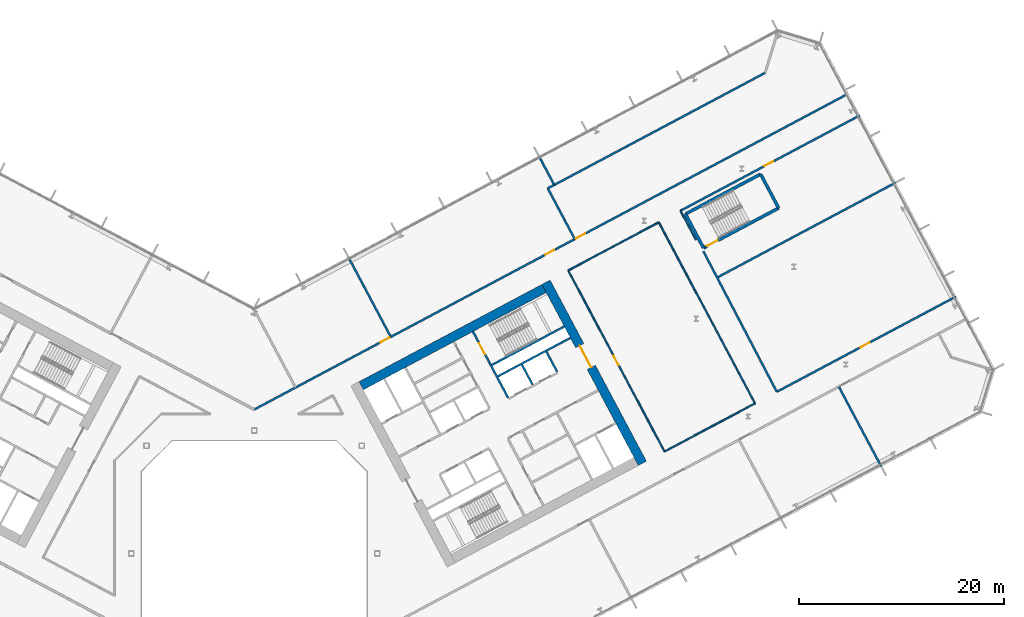
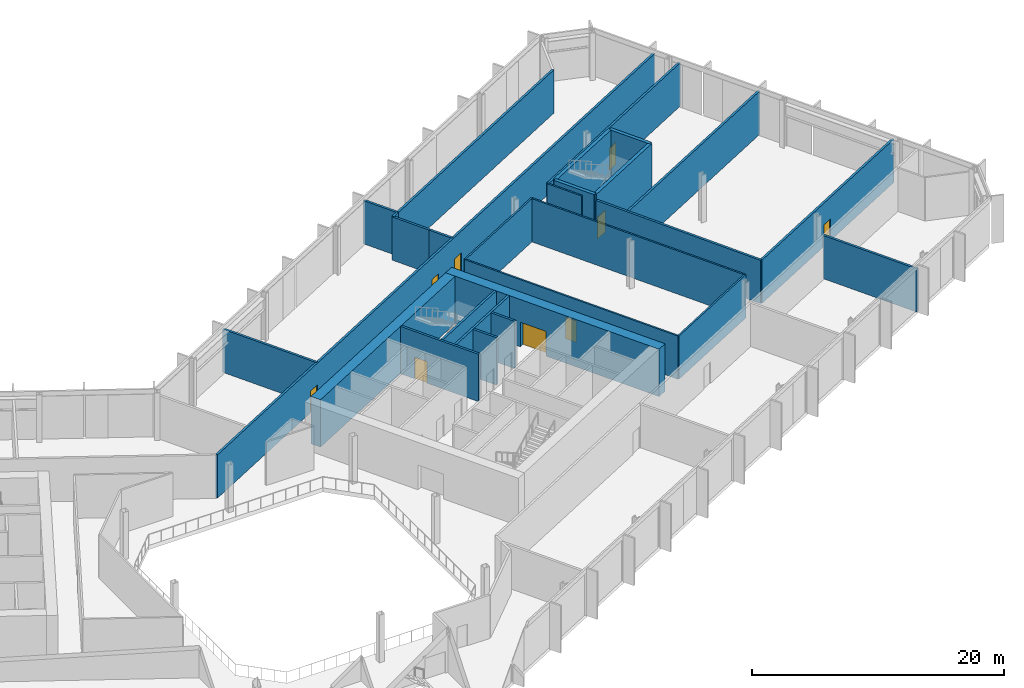
# One storey, part 19 of 32: 28 walls, 9 doors, 9 openings.
"""IFC4 building model written with IfcOpenShell, lengths in metres."""

from ifc_helpers import new_model, si_unit, direction, frame, frame_2d, origin, place, context, subcontext, project, spatial, rectangle, extrude, material, layer, layer_set, type_object, element, fill, save


model = new_model("IFC4")

# Units and contexts
model_context = context("Model", 3, precision=1e-05, world=origin(), true_north=direction((0.0, 1.0)))
body_context = subcontext(model_context, "Body", "Model", "MODEL_VIEW")
ifc_project = project(units=[si_unit("LENGTHUNIT", "METRE"), si_unit("AREAUNIT", "SQUARE_METRE"), si_unit("VOLUMEUNIT", "CUBIC_METRE"), si_unit("PLANEANGLEUNIT", "RADIAN"), si_unit("MASSUNIT", "GRAM", prefix="KILO")], contexts=[model_context])

# Site, building, storey
site_placement = place(None, origin())
site = spatial("IfcSite", under=ifc_project, at=site_placement, CompositionType="ELEMENT")
building_placement = place(site_placement, origin())
building = spatial("IfcBuilding", under=site, at=building_placement, Name="Cormorant Relay Tower", CompositionType="ELEMENT")
storey_placement = place(building_placement, frame((0.0, 0.0, 66.199951171875)))
storey = spatial("IfcBuildingStorey", under=building, at=storey_placement, Name="L12", CompositionType="ELEMENT", Elevation=66.199951171875)

# Wall
ifc_material_1 = material(Name="Concrete 40 MPa", Category="concrete")
ifc_layer_1 = layer(ifc_material_1, 0.199951171875)
ifc_layer_set_1 = layer_set([ifc_layer_1], Name="Core internal wall 200")
wall_type_1 = type_object("IfcWallType", Name="Core internal wall 200", PredefinedType="SOLIDWALL", material=ifc_layer_set_1)
wall_1_placement = place(storey_placement, frame((27.144287109375, 16.471435546875, 0.0), z_axis=(0.0, 0.0, 1.0), x_axis=(-0.469401318492, 0.882984938828, 0.0)))
element("IfcWall", 1, at=wall_1_placement, inside=storey, type_object=wall_type_1, Name="L12 core B shaft and room wall", PredefinedType="SOLIDWALL", context=body_context, shape_type="SweptSolid", body=[
    extrude(rectangle(XDim=2.199951171875, YDim=0.199951171875, at=frame_2d((1.10009765625, 0.0))), origin(), (0.0, 0.0, 1.0), 4.60009765625),
])

# Wall, opening, door
ifc_material_2 = material(Name="Concrete 50 MPa", Category="concrete")
ifc_layer_2 = layer(ifc_material_2, 0.199951171875)
ifc_layer_set_2 = layer_set([ifc_layer_2], Name="Core shaft wall 200")
wall_type_2 = type_object("IfcWallType", Name="Core shaft wall 200", PredefinedType="SHEAR", material=ifc_layer_set_2)
wall_2_placement = place(storey_placement, frame((24.760498046875, 15.2041015625, 0.0), z_axis=(0.0, 0.0, 1.0), x_axis=(-0.469494272526, 0.882935517501, 0.0)))
wall_2 = element("IfcWall", 2, at=wall_2_placement, inside=storey, type_object=wall_type_2, Name="L12 core B shaft wall", PredefinedType="SHEAR", context=body_context, shape_type="SweptSolid", body=[
    extrude(rectangle(XDim=7.2998046875, YDim=0.199951171875, at=frame_2d((3.64990234375, 0.0))), origin(), (0.0, 0.0, 1.0), 4.60009765625),
])
opening_1_placement = place(wall_2_placement, frame((4.800048828125, 0.0, 0.0)))
opening_1 = element("IfcOpeningElement", 3, at=opening_1_placement, cuts=wall_2, Name="Opening CDB-027", PredefinedType="OPENING", context=body_context, shape_type="SweptSolid", body=[
    extrude(rectangle(XDim=1.199951171875, YDim=2.10009765625, at=frame_2d((0.60009765625, 1.050048828125))), frame((0.0, 0.10986328125, 0.0), z_axis=(0.0, -1.0, 0.0), x_axis=(1.0, 0.0, 0.0)), (0.0, 0.0, 1.0), 0.219970703125),
])
ifc_material_3 = material(Name="Steel fire door", Category="steel")
door_type_1 = type_object("IfcDoorType", Name="Core stair door 1200x2100", OperationType="SINGLE_SWING_LEFT", PredefinedType="DOOR", material=ifc_material_3)
door_1_placement = place(opening_1_placement, frame((1.199951171875, 0.0, 0.0), z_axis=(0.0, 0.0, 1.0), x_axis=(-1.0, 0.0, 0.0)))
door_1 = element("IfcDoor", 4, at=door_1_placement, inside=storey, type_object=door_type_1, Name="Core stair door 1200x2100", OperationType="SINGLE_SWING_RIGHT", OverallHeight=2.10009765625, OverallWidth=1.199951171875, PredefinedType="DOOR", context=body_context, shape_type="SweptSolid", body=[
    extrude(rectangle(XDim=1.199951171875, YDim=2.10009765625, at=frame_2d((0.60009765625, 1.050048828125))), frame((0.0, 0.02490234375, 0.0), z_axis=(0.0, -1.0, 0.0), x_axis=(1.0, 0.0, 0.0)), (0.0, 0.0, 1.0), 0.050048828125),
])
fill(opening_1, door_1)

# Walls
wall_3_placement = place(storey_placement, frame((29.5283203125, 17.739013671875, 0.0), z_axis=(0.0, 0.0, 1.0), x_axis=(-0.469401318492, 0.882984938828, 0.0)))
element("IfcWall", 5, at=wall_3_placement, inside=storey, type_object=wall_type_2, Name="L12 core B shaft wall", PredefinedType="SHEAR", context=body_context, shape_type="SweptSolid", body=[
    extrude(rectangle(XDim=2.199951171875, YDim=0.199951171875, at=frame_2d((1.10009765625, 0.0))), origin(), (0.0, 0.0, 1.0), 4.60009765625),
])
wall_4_placement = place(storey_placement, frame((23.76904296875, 17.28173828125, 0.0), z_axis=(0.0, 0.0, 1.0), x_axis=(0.882940221191, 0.469485426614, 0.0)))
element("IfcWall", 6, at=wall_4_placement, inside=storey, type_object=wall_type_2, Name="L12 core B shaft wall", PredefinedType="SHEAR", context=body_context, shape_type="SweptSolid", body=[
    extrude(rectangle(XDim=8.0, YDim=0.199951171875, at=frame_2d((4.0, 0.0))), origin(), (0.0, 0.0, 1.0), 4.60009765625),
])
wall_5_placement = place(storey_placement, frame((23.18212890625, 18.385498046875, 0.0), z_axis=(0.0, 0.0, 1.0), x_axis=(0.88295287151, 0.469461634952, 0.0)))
element("IfcWall", 7, at=wall_5_placement, inside=storey, type_object=wall_type_2, Name="L12 core B shaft wall", PredefinedType="SHEAR", context=body_context, shape_type="SweptSolid", body=[
    extrude(rectangle(XDim=7.999755859375, YDim=0.199951171875, at=frame_2d((4.0, 0.0))), origin(), (0.0, 0.0, 1.0), 4.60009765625),
])

# Wall, opening, door
ifc_material_4 = material(Name="Concrete 70 MPa", Category="concrete")
ifc_layer_3 = layer(ifc_material_4, 0.89990234375)
ifc_layer_set_3 = layer_set([ifc_layer_3], Name="Core wall 900")
wall_type_3 = type_object("IfcWallType", Name="Core wall 900", PredefinedType="SHEAR", material=ifc_layer_set_3)
wall_6_placement = place(storey_placement, frame((37.849365234375, 8.799072265625, 0.0), z_axis=(0.0, 0.0, 1.0), x_axis=(-0.469465789982, 0.882950662289, 0.0)))
wall_6 = element("IfcWall", 8, at=wall_6_placement, inside=storey, type_object=wall_type_3, Name="L12 core B wall", PredefinedType="SHEAR", context=body_context, shape_type="SweptSolid", body=[
    extrude(rectangle(XDim=20.000244140625, YDim=0.89990234375, at=frame_2d((10.0, 0.0))), origin(), (0.0, 0.0, 1.0), 4.60009765625),
])
opening_2_placement = place(wall_6_placement, frame((10.60009765625, 0.0, 0.0)))
opening_2 = element("IfcOpeningElement", 9, at=opening_2_placement, cuts=wall_6, Name="Opening CDA-020", PredefinedType="OPENING", context=body_context, shape_type="SweptSolid", body=[
    extrude(rectangle(XDim=2.39990234375, YDim=2.39990234375, at=frame_2d((1.199951171875, 1.199951171875))), frame((0.0, 0.4599609375, 0.0), z_axis=(0.0, -1.0, 0.0), x_axis=(1.0, 0.0, 0.0)), (0.0, 0.0, 1.0), 0.919921875),
])
ifc_material_5 = material(Name="Steel fire door", Category="steel")
door_type_2 = type_object("IfcDoorType", Name="Core lobby door 2400x2400", OperationType="DOUBLE_DOOR_SINGLE_SWING", PredefinedType="DOOR", material=ifc_material_5)
door_2_placement = place(opening_2_placement, origin())
door_2 = element("IfcDoor", 10, at=door_2_placement, inside=storey, type_object=door_type_2, Name="Core lobby door 2400x2400", OperationType="DOUBLE_DOOR_SINGLE_SWING", OverallHeight=2.39990234375, OverallWidth=2.39990234375, PredefinedType="DOOR", context=body_context, shape_type="SweptSolid", body=[
    extrude(rectangle(XDim=2.39990234375, YDim=2.39990234375, at=frame_2d((1.199951171875, 1.199951171875))), frame((0.0, 0.02490234375, 0.0), z_axis=(0.0, -1.0, 0.0), x_axis=(1.0, 0.0, 0.0)), (0.0, 0.0, 1.0), 0.050048828125),
])
fill(opening_2, door_2)

# Wall
wall_7_placement = place(storey_placement, frame((10.4384765625, 16.3662109375, 0.0), z_axis=(0.0, 0.0, 1.0), x_axis=(0.88294509198, 0.469476266226, 0.0)))
element("IfcWall", 11, at=wall_7_placement, inside=storey, type_object=wall_type_3, Name="L12 core B wall", PredefinedType="SHEAR", context=body_context, shape_type="SweptSolid", body=[
    extrude(rectangle(XDim=20.199951171875, YDim=0.89990234375, at=frame_2d((10.10009765625, 0.0))), origin(), (0.0, 0.0, 1.0), 4.60009765625),
])

# Wall, openings, doors
ifc_material_6 = material(Name="Fire-rated gypsum board partition")
ifc_layer_4 = layer(ifc_material_6, 0.199951171875)
ifc_layer_set_4 = layer_set([ifc_layer_4], Name="Fire-rated gypsum partition 200")
wall_type_4 = type_object("IfcWallType", Name="Fire-rated gypsum partition 200", PredefinedType="PARTITIONING", material=ifc_layer_set_4)
wall_8_placement = place(storey_placement, frame((0.0, 14.0439453125, 0.0), z_axis=(0.0, 0.0, 1.0), x_axis=(0.882943219941, 0.469479786955, 0.0)))
wall_8 = element("IfcWall", 12, at=wall_8_placement, inside=storey, type_object=wall_type_4, Name="wall/L12/part/9", PredefinedType="PARTITIONING", context=body_context, shape_type="SweptSolid", body=[
    extrude(rectangle(XDim=65.606689453125, YDim=0.199951171875, at=frame_2d((32.80322265625, 0.0))), origin(), (0.0, 0.0, 1.0), 4.199951171875),
])
opening_3_placement = place(wall_8_placement, frame((35.550048828125, 0.0, 0.0)))
opening_3 = element("IfcOpeningElement", 13, at=opening_3_placement, cuts=wall_8, Name="Opening FD1-087", PredefinedType="OPENING", context=body_context, shape_type="SweptSolid", body=[
    extrude(rectangle(XDim=1.0, YDim=2.10009765625, at=frame_2d((0.5, 1.050048828125))), frame((0.0, 0.10986328125, 0.0), z_axis=(0.0, -1.0, 0.0), x_axis=(1.0, 0.0, 0.0)), (0.0, 0.0, 1.0), 0.219970703125),
])
opening_4_placement = place(wall_8_placement, frame((32.14990234375, 0.0, 0.0)))
opening_4 = element("IfcOpeningElement", 14, at=opening_4_placement, cuts=wall_8, Name="Opening FD1-088", PredefinedType="OPENING", context=body_context, shape_type="SweptSolid", body=[
    extrude(rectangle(XDim=1.0, YDim=2.10009765625, at=frame_2d((0.5, 1.050048828125))), frame((0.0, 0.10986328125, 0.0), z_axis=(0.0, -1.0, 0.0), x_axis=(1.0, 0.0, 0.0)), (0.0, 0.0, 1.0), 0.219970703125),
])
opening_5_placement = place(wall_8_placement, frame((13.949951171875, 0.0, 0.0)))
opening_5 = element("IfcOpeningElement", 15, at=opening_5_placement, cuts=wall_8, Name="Opening FD1-089", PredefinedType="OPENING", context=body_context, shape_type="SweptSolid", body=[
    extrude(rectangle(XDim=1.0, YDim=2.10009765625, at=frame_2d((0.5, 1.050048828125))), frame((0.0, 0.10986328125, 0.0), z_axis=(0.0, -1.0, 0.0), x_axis=(1.0, 0.0, 0.0)), (0.0, 0.0, 1.0), 0.219970703125),
])
ifc_material_7 = material(Name="Fire-rated steel door", Category="steel")
door_type_3 = type_object("IfcDoorType", Name="Fire door 1000 x 2100", OperationType="SINGLE_SWING_LEFT", PredefinedType="DOOR", material=ifc_material_7)
door_3_placement = place(opening_3_placement, origin())
door_3 = element("IfcDoor", 16, at=door_3_placement, inside=storey, type_object=door_type_3, Name="door/L12/5", OperationType="SINGLE_SWING_LEFT", OverallHeight=2.10009765625, OverallWidth=1.0, PredefinedType="DOOR", context=body_context, shape_type="SweptSolid", body=[
    extrude(rectangle(XDim=1.0, YDim=2.10009765625, at=frame_2d((0.5, 1.050048828125))), frame((0.0, 0.02490234375, 0.0), z_axis=(0.0, -1.0, 0.0), x_axis=(1.0, 0.0, 0.0)), (0.0, 0.0, 1.0), 0.050048828125),
])
fill(opening_3, door_3)
door_4_placement = place(opening_4_placement, origin())
door_4 = element("IfcDoor", 17, at=door_4_placement, inside=storey, type_object=door_type_3, Name="door/L12/6", OperationType="SINGLE_SWING_LEFT", OverallHeight=2.10009765625, OverallWidth=1.0, PredefinedType="DOOR", context=body_context, shape_type="SweptSolid", body=[
    extrude(rectangle(XDim=1.0, YDim=2.10009765625, at=frame_2d((0.5, 1.050048828125))), frame((0.0, 0.02490234375, 0.0), z_axis=(0.0, -1.0, 0.0), x_axis=(1.0, 0.0, 0.0)), (0.0, 0.0, 1.0), 0.050048828125),
])
fill(opening_4, door_4)
door_5_placement = place(opening_5_placement, origin())
door_5 = element("IfcDoor", 18, at=door_5_placement, inside=storey, type_object=door_type_3, Name="door/L12/7", OperationType="SINGLE_SWING_RIGHT", OverallHeight=2.10009765625, OverallWidth=1.0, PredefinedType="DOOR", context=body_context, shape_type="SweptSolid", body=[
    extrude(rectangle(XDim=1.0, YDim=2.10009765625, at=frame_2d((0.5, 1.050048828125))), frame((0.0, 0.02490234375, 0.0), z_axis=(0.0, -1.0, 0.0), x_axis=(1.0, 0.0, 0.0)), (0.0, 0.0, 1.0), 0.050048828125),
])
fill(opening_5, door_5)

# Walls
wall_9_placement = place(storey_placement, frame((9.19091796875, 28.89794921875, 0.0), z_axis=(0.0, 0.0, 1.0), x_axis=(0.46939995126, -0.882985665658, 0.0)))
element("IfcWall", 19, at=wall_9_placement, inside=storey, type_object=wall_type_4, Name="wall/L12/part/27", PredefinedType="PARTITIONING", context=body_context, shape_type="SweptSolid", body=[
    extrude(rectangle(XDim=8.80078125, YDim=0.199951171875, at=frame_2d((4.400390625, 0.0))), origin(), (0.0, 0.0, 1.0), 4.199951171875),
])
wall_10_placement = place(storey_placement, frame((30.2490234375, 32.572021484375, 0.0), z_axis=(0.0, 0.0, 1.0), x_axis=(0.469290296872, -0.883043949791, 0.0)))
element("IfcWall", 20, at=wall_10_placement, inside=storey, type_object=wall_type_4, Name="wall/L12/part/33", PredefinedType="PARTITIONING", context=body_context, shape_type="SweptSolid", body=[
    extrude(rectangle(XDim=2.158447265625, YDim=0.199951171875, at=frame_2d((1.0791015625, 0.0))), origin(), (0.0, 0.0, 1.0), 4.199951171875),
])
wall_11_placement = place(storey_placement, frame((27.760009765625, 38.77099609375, 0.0), z_axis=(0.0, 0.0, 1.0), x_axis=(0.469320691295, -0.883027796121, 0.0)))
element("IfcWall", 21, at=wall_11_placement, inside=storey, type_object=wall_type_4, Name="wall/L12/part/37", PredefinedType="PARTITIONING", context=body_context, shape_type="SweptSolid", body=[
    extrude(rectangle(XDim=3.2001953125, YDim=0.199951171875, at=frame_2d((1.60009765625, 0.0))), origin(), (0.0, 0.0, 1.0), 4.199951171875),
])
wall_12_placement = place(storey_placement, frame((29.260009765625, 35.945068359375, 0.0), z_axis=(0.0, 0.0, 1.0), x_axis=(0.882968820758, 0.469431636737, 0.0)))
element("IfcWall", 22, at=wall_12_placement, inside=storey, type_object=wall_type_4, Name="wall/L12/part/38", PredefinedType="PARTITIONING", context=body_context, shape_type="SweptSolid", body=[
    extrude(rectangle(XDim=23.28955078125, YDim=0.199951171875, at=frame_2d((11.644775390625, 0.0))), origin(), (0.0, 0.0, 1.0), 4.199951171875),
])
wall_13_placement = place(storey_placement, frame((30.2490234375, 32.572021484375, 0.0), z_axis=(0.0, 0.0, 1.0), x_axis=(-0.46948710086, 0.882939330943, 0.0)))
element("IfcWall", 23, at=wall_13_placement, inside=storey, type_object=wall_type_4, Name="wall/L12/part/40", PredefinedType="PARTITIONING", context=body_context, shape_type="SweptSolid", body=[
    extrude(rectangle(XDim=3.44189453125, YDim=0.199951171875, at=frame_2d((1.720947265625, 0.0))), origin(), (0.0, 0.0, 1.0), 4.199951171875),
])
wall_14_placement = place(storey_placement, frame((28.633056640625, 35.611083984375, 0.0), z_axis=(0.0, 0.0, 1.0), x_axis=(0.882581167339, 0.470160061106, 0.0)))
element("IfcWall", 24, at=wall_14_placement, inside=storey, type_object=wall_type_4, Name="wall/L12/part/41", PredefinedType="PARTITIONING", context=body_context, shape_type="SweptSolid", body=[
    extrude(rectangle(XDim=0.71044921875, YDim=0.199951171875, at=frame_2d((0.355224609375, 0.0))), origin(), (0.0, 0.0, 1.0), 4.199951171875),
])

# Wall, opening, door
wall_15_placement = place(storey_placement, frame((41.572021484375, 33.429931640625, 0.0), z_axis=(0.0, 0.0, 1.0), x_axis=(0.882950585831, 0.469465933781, 0.0)))
wall_15 = element("IfcWall", 25, at=wall_15_placement, inside=storey, type_object=wall_type_4, Name="wall/L12/part/44", PredefinedType="PARTITIONING", context=body_context, shape_type="SweptSolid", body=[
    extrude(rectangle(XDim=19.799560546875, YDim=0.199951171875, at=frame_2d((9.89990234375, 0.0))), origin(), (0.0, 0.0, 1.0), 4.199951171875),
])
opening_6_placement = place(wall_15_placement, frame((9.25, 0.0, 0.0)))
opening_6 = element("IfcOpeningElement", 26, at=opening_6_placement, cuts=wall_15, Name="Opening FD1-085", PredefinedType="OPENING", context=body_context, shape_type="SweptSolid", body=[
    extrude(rectangle(XDim=1.0, YDim=2.10009765625, at=frame_2d((0.5, 1.050048828125))), frame((0.0, 0.10986328125, 0.0), z_axis=(0.0, -1.0, 0.0), x_axis=(1.0, 0.0, 0.0)), (0.0, 0.0, 1.0), 0.219970703125),
])
door_6_placement = place(opening_6_placement, frame((1.0, 0.0, 0.0), z_axis=(0.0, 0.0, 1.0), x_axis=(-1.0, 0.0, 0.0)))
door_6 = element("IfcDoor", 27, at=door_6_placement, inside=storey, type_object=door_type_3, Name="door/L12/23", OperationType="SINGLE_SWING_RIGHT", OverallHeight=2.10009765625, OverallWidth=1.0, PredefinedType="DOOR", context=body_context, shape_type="SweptSolid", body=[
    extrude(rectangle(XDim=1.0, YDim=2.10009765625, at=frame_2d((0.5, 1.050048828125))), frame((0.0, 0.02490234375, 0.0), z_axis=(0.0, -1.0, 0.0), x_axis=(1.0, 0.0, 0.0)), (0.0, 0.0, 1.0), 0.050048828125),
])
fill(opening_6, door_6)

# Wall
wall_16_placement = place(storey_placement, frame((43.801025390625, 29.48291015625, 0.0), z_axis=(0.0, 0.0, 1.0), x_axis=(0.462864260364, -0.886429171721, 0.0)))
element("IfcWall", 28, at=wall_16_placement, inside=storey, type_object=wall_type_4, Name="wall/L12/part/46", PredefinedType="PARTITIONING", context=body_context, shape_type="SweptSolid", body=[
    extrude(rectangle(XDim=15.46875, YDim=0.199951171875, at=frame_2d((7.734375, 0.0))), origin(), (0.0, 0.0, 1.0), 4.199951171875),
])

# Wall, opening, door
wall_17_placement = place(storey_placement, frame((50.9609375, 15.77099609375, 0.0), z_axis=(0.0, 0.0, 1.0), x_axis=(0.882969283776, 0.469430765831, 0.0)))
wall_17 = element("IfcWall", 29, at=wall_17_placement, inside=storey, type_object=wall_type_4, Name="wall/L12/part/47", PredefinedType="PARTITIONING", context=body_context, shape_type="SweptSolid", body=[
    extrude(rectangle(XDim=19.80029296875, YDim=0.199951171875, at=frame_2d((9.900146484375, 0.0))), origin(), (0.0, 0.0, 1.0), 4.199951171875),
])
opening_7_placement = place(wall_17_placement, frame((9.25, 0.0, 0.0)))
opening_7 = element("IfcOpeningElement", 30, at=opening_7_placement, cuts=wall_17, Name="Opening FD1-084", PredefinedType="OPENING", context=body_context, shape_type="SweptSolid", body=[
    extrude(rectangle(XDim=1.0, YDim=2.10009765625, at=frame_2d((0.5, 1.050048828125))), frame((0.0, 0.10986328125, 0.0), z_axis=(0.0, -1.0, 0.0), x_axis=(1.0, 0.0, 0.0)), (0.0, 0.0, 1.0), 0.219970703125),
])
door_7_placement = place(opening_7_placement, origin())
door_7 = element("IfcDoor", 31, at=door_7_placement, inside=storey, type_object=door_type_3, Name="door/L12/22", OperationType="SINGLE_SWING_LEFT", OverallHeight=2.10009765625, OverallWidth=1.0, PredefinedType="DOOR", context=body_context, shape_type="SweptSolid", body=[
    extrude(rectangle(XDim=1.0, YDim=2.10009765625, at=frame_2d((0.5, 1.050048828125))), frame((0.0, 0.02490234375, 0.0), z_axis=(0.0, -1.0, 0.0), x_axis=(1.0, 0.0, 0.0)), (0.0, 0.0, 1.0), 0.050048828125),
])
fill(opening_7, door_7)

# Walls
wall_18_placement = place(storey_placement, frame((62.5419921875, 36.166015625, 0.0), z_axis=(0.0, 0.0, 1.0), x_axis=(-0.882962645452, -0.46944325188, 0.0)))
element("IfcWall", 32, at=wall_18_placement, inside=storey, type_object=wall_type_4, Name="wall/L12/part/48", PredefinedType="PARTITIONING", context=body_context, shape_type="SweptSolid", body=[
    extrude(rectangle(XDim=19.706298828125, YDim=0.199951171875, at=frame_2d((9.85302734375, 0.0))), origin(), (0.0, 0.0, 1.0), 4.199951171875),
])
wall_19_placement = place(storey_placement, frame((57.010986328125, 16.26904296875, 0.0), z_axis=(0.0, 0.0, 1.0), x_axis=(0.469445946219, -0.882961212952, 0.0)))
element("IfcWall", 33, at=wall_19_placement, inside=storey, type_object=wall_type_4, Name="wall/L12/part/49", PredefinedType="PARTITIONING", context=body_context, shape_type="SweptSolid", body=[
    extrude(rectangle(XDim=8.800048828125, YDim=0.199951171875, at=frame_2d((4.39990234375, 0.0))), origin(), (0.0, 0.0, 1.0), 4.199951171875),
])
ifc_material_8 = material(Name="Gypsum board partition")
ifc_layer_5 = layer(ifc_material_8, 0.14990234375)
ifc_layer_set_5 = layer_set([ifc_layer_5], Name="Gypsum board partition 150")
wall_type_5 = type_object("IfcWallType", Name="Gypsum board partition 150", PredefinedType="PARTITIONING", material=ifc_layer_set_5)
wall_20_placement = place(storey_placement, frame((41.572021484375, 33.429931640625, 0.0), z_axis=(0.0, 0.0, 1.0), x_axis=(0.469510863882, -0.882926694974, 0.0)))
element("IfcWall", 34, at=wall_20_placement, inside=storey, type_object=wall_type_5, Name="wall/L12/part/45", PredefinedType="PARTITIONING", context=body_context, shape_type="SweptSolid", body=[
    extrude(rectangle(XDim=3.2119140625, YDim=0.14990234375, at=frame_2d((1.60595703125, 0.0))), origin(), (0.0, 0.0, 1.0), 4.199951171875),
])
wall_21_placement = place(storey_placement, frame((30.623046875, 27.60791015625, 0.0), z_axis=(0.0, 0.0, 1.0), x_axis=(0.882940863385, 0.469484218867, 0.0)))
element("IfcWall", 35, at=wall_21_placement, inside=storey, type_object=wall_type_5, Name="wall/L12/part/64", PredefinedType="PARTITIONING", context=body_context, shape_type="SweptSolid", body=[
    extrude(rectangle(XDim=10.00048828125, YDim=0.14990234375, at=frame_2d((5.000244140625, 0.0))), origin(), (0.0, 0.0, 1.0), 4.199951171875),
])
wall_22_placement = place(storey_placement, frame((39.452880859375, 32.302978515625, 0.0), z_axis=(0.0, 0.0, 1.0), x_axis=(0.469461333319, -0.882953031887, 0.0)))
element("IfcWall", 36, at=wall_22_placement, inside=storey, type_object=wall_type_5, Name="wall/L12/part/65", PredefinedType="PARTITIONING", context=body_context, shape_type="SweptSolid", body=[
    extrude(rectangle(XDim=19.999755859375, YDim=0.14990234375, at=frame_2d((10.0, 0.0))), origin(), (0.0, 0.0, 1.0), 4.199951171875),
])
wall_23_placement = place(storey_placement, frame((48.842041015625, 14.64404296875, 0.0), z_axis=(0.0, 0.0, 1.0), x_axis=(-0.882924718888, -0.46951457994, 0.0)))
element("IfcWall", 37, at=wall_23_placement, inside=storey, type_object=wall_type_5, Name="wall/L12/part/66", PredefinedType="PARTITIONING", context=body_context, shape_type="SweptSolid", body=[
    extrude(rectangle(XDim=9.999755859375, YDim=0.14990234375, at=frame_2d((5.0, 0.0))), origin(), (0.0, 0.0, 1.0), 4.199951171875),
])

# Wall, opening, door
wall_24_placement = place(storey_placement, frame((40.012939453125, 9.948974609375, 0.0), z_axis=(0.0, 0.0, 1.0), x_axis=(-0.469489882812, 0.882937851685, 0.0)))
wall_24 = element("IfcWall", 38, at=wall_24_placement, inside=storey, type_object=wall_type_5, Name="wall/L12/part/67", PredefinedType="PARTITIONING", context=body_context, shape_type="SweptSolid", body=[
    extrude(rectangle(XDim=20.000244140625, YDim=0.14990234375, at=frame_2d((10.0, 0.0))), origin(), (0.0, 0.0, 1.0), 4.199951171875),
])
opening_8_placement = place(wall_24_placement, frame((9.550048828125, 0.0, 0.0)))
opening_8 = element("IfcOpeningElement", 39, at=opening_8_placement, cuts=wall_24, Name="Opening D1-030", PredefinedType="OPENING", context=body_context, shape_type="SweptSolid", body=[
    extrude(rectangle(XDim=1.0, YDim=2.10009765625, at=frame_2d((0.5, 1.050048828125))), frame((0.0, 0.0849609375, 0.0), z_axis=(0.0, -1.0, 0.0), x_axis=(1.0, 0.0, 0.0)), (0.0, 0.0, 1.0), 0.169921875),
])
ifc_material_9 = material(Name="Painted steel door", Category="steel")
door_type_4 = type_object("IfcDoorType", Name="Single door 1000 x 2100", OperationType="SINGLE_SWING_LEFT", PredefinedType="DOOR", material=ifc_material_9)
door_8_placement = place(opening_8_placement, origin())
door_8 = element("IfcDoor", 40, at=door_8_placement, inside=storey, type_object=door_type_4, Name="door/L12/21", OperationType="SINGLE_SWING_RIGHT", OverallHeight=2.10009765625, OverallWidth=1.0, PredefinedType="DOOR", context=body_context, shape_type="SweptSolid", body=[
    extrude(rectangle(XDim=1.0, YDim=2.10009765625, at=frame_2d((0.5, 1.050048828125))), frame((0.0, 0.02490234375, 0.0), z_axis=(0.0, -1.0, 0.0), x_axis=(1.0, 0.0, 0.0)), (0.0, 0.0, 1.0), 0.050048828125),
])
fill(opening_8, door_8)

# Wall
ifc_material_10 = material(Name="Concrete 50 MPa", Category="concrete")
ifc_layer_6 = layer(ifc_material_10, 0.300048828125)
ifc_layer_set_6 = layer_set([ifc_layer_6], Name="Remote stair wall 300")
wall_type_6 = type_object("IfcWallType", Name="Remote stair wall 300", PredefinedType="SHEAR", material=ifc_layer_set_6)
wall_25_placement = place(storey_placement, frame((49.384033203125, 37.00390625, 0.0), z_axis=(0.0, 0.0, 1.0), x_axis=(0.46946936446, -0.882948761726, 0.0)))
element("IfcWall", 41, at=wall_25_placement, inside=storey, type_object=wall_type_6, Name="L12 exit stair RB1 wall", PredefinedType="SHEAR", context=body_context, shape_type="SweptSolid", body=[
    extrude(rectangle(XDim=3.75, YDim=0.300048828125, at=frame_2d((1.875, 0.0))), origin(), (0.0, 0.0, 1.0), 4.60009765625),
])

# Wall, opening, door
wall_26_placement = place(storey_placement, frame((51.14453125, 33.69287109375, 0.0), z_axis=(0.0, 0.0, 1.0), x_axis=(-0.882945809314, -0.469474917132, 0.0)))
wall_26 = element("IfcWall", 42, at=wall_26_placement, inside=storey, type_object=wall_type_6, Name="L12 exit stair RB1 wall", PredefinedType="SHEAR", context=body_context, shape_type="SweptSolid", body=[
    extrude(rectangle(XDim=8.30029296875, YDim=0.300048828125, at=frame_2d((4.150146484375, 0.0))), origin(), (0.0, 0.0, 1.0), 4.60009765625),
])
opening_9_placement = place(wall_26_placement, frame((6.72509765625, 0.0, 0.0)))
opening_9 = element("IfcOpeningElement", 43, at=opening_9_placement, cuts=wall_26, Name="Opening CDB-028", PredefinedType="OPENING", context=body_context, shape_type="SweptSolid", body=[
    extrude(rectangle(XDim=1.199951171875, YDim=2.10009765625, at=frame_2d((0.60009765625, 1.050048828125))), frame((0.0, 0.159912109375, 0.0), z_axis=(0.0, -1.0, 0.0), x_axis=(1.0, 0.0, 0.0)), (0.0, 0.0, 1.0), 0.320068359375),
])
door_9_placement = place(opening_9_placement, frame((1.199951171875, 0.0, 0.0), z_axis=(0.0, 0.0, 1.0), x_axis=(-1.0, 0.0, 0.0)))
door_9 = element("IfcDoor", 44, at=door_9_placement, inside=storey, type_object=door_type_1, Name="Exit stair RB1 door", OperationType="SINGLE_SWING_LEFT", OverallHeight=2.10009765625, OverallWidth=1.199951171875, PredefinedType="DOOR", context=body_context, shape_type="SweptSolid", body=[
    extrude(rectangle(XDim=1.199951171875, YDim=2.10009765625, at=frame_2d((0.60009765625, 1.050048828125))), frame((0.0, 0.02490234375, 0.0), z_axis=(0.0, -1.0, 0.0), x_axis=(1.0, 0.0, 0.0)), (0.0, 0.0, 1.0), 0.050048828125),
])
fill(opening_9, door_9)

# Walls
wall_27_placement = place(storey_placement, frame((43.81591796875, 29.796142578125, 0.0), z_axis=(0.0, 0.0, 1.0), x_axis=(-0.46946936446, 0.882948761726, 0.0)))
element("IfcWall", 45, at=wall_27_placement, inside=storey, type_object=wall_type_6, Name="L12 exit stair RB1 wall", PredefinedType="SHEAR", context=body_context, shape_type="SweptSolid", body=[
    extrude(rectangle(XDim=3.75, YDim=0.300048828125, at=frame_2d((1.875, 0.0))), origin(), (0.0, 0.0, 1.0), 4.60009765625),
])
wall_28_placement = place(storey_placement, frame((42.055419921875, 33.107177734375, 0.0), z_axis=(0.0, 0.0, 1.0), x_axis=(0.882945809314, 0.469474917132, 0.0)))
element("IfcWall", 46, at=wall_28_placement, inside=storey, type_object=wall_type_6, Name="L12 exit stair RB1 wall", PredefinedType="SHEAR", context=body_context, shape_type="SweptSolid", body=[
    extrude(rectangle(XDim=8.30029296875, YDim=0.300048828125, at=frame_2d((4.150146484375, 0.0))), origin(), (0.0, 0.0, 1.0), 4.60009765625),
])

save(model, "model.ifc")
